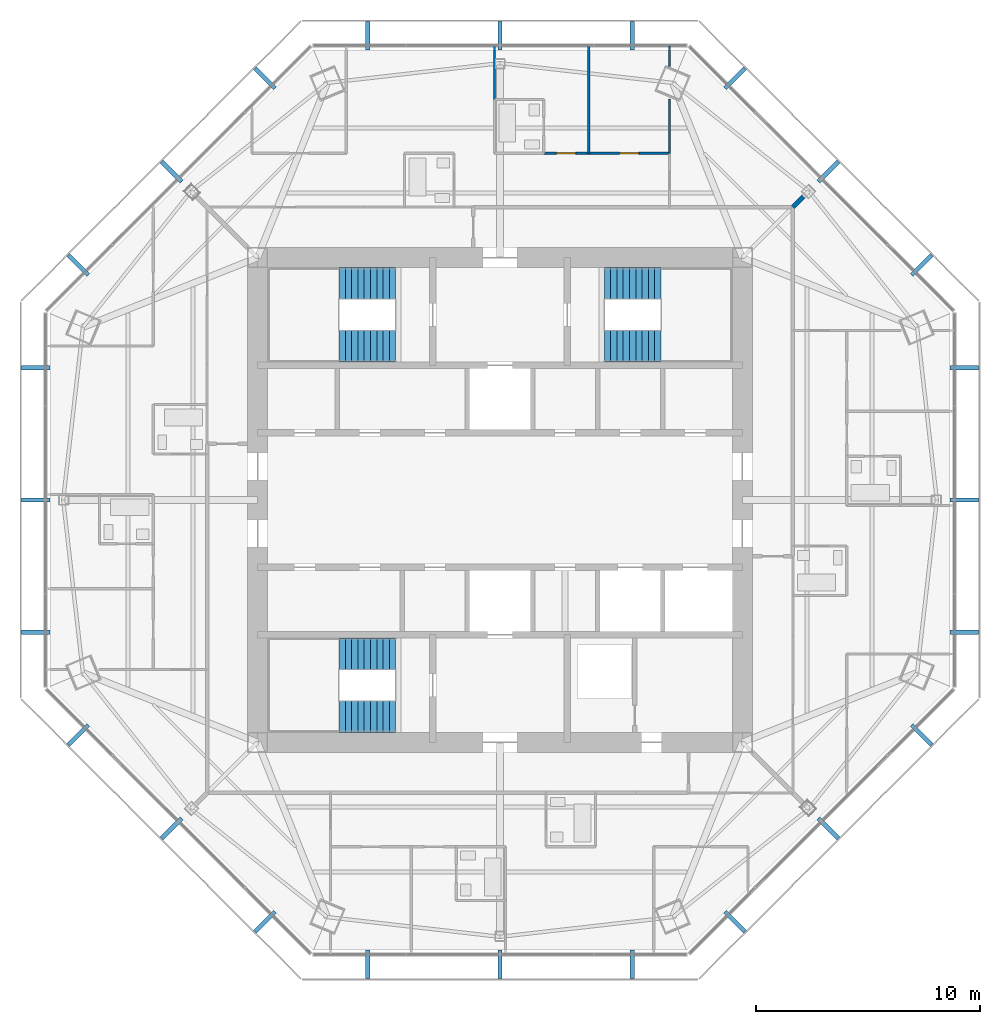
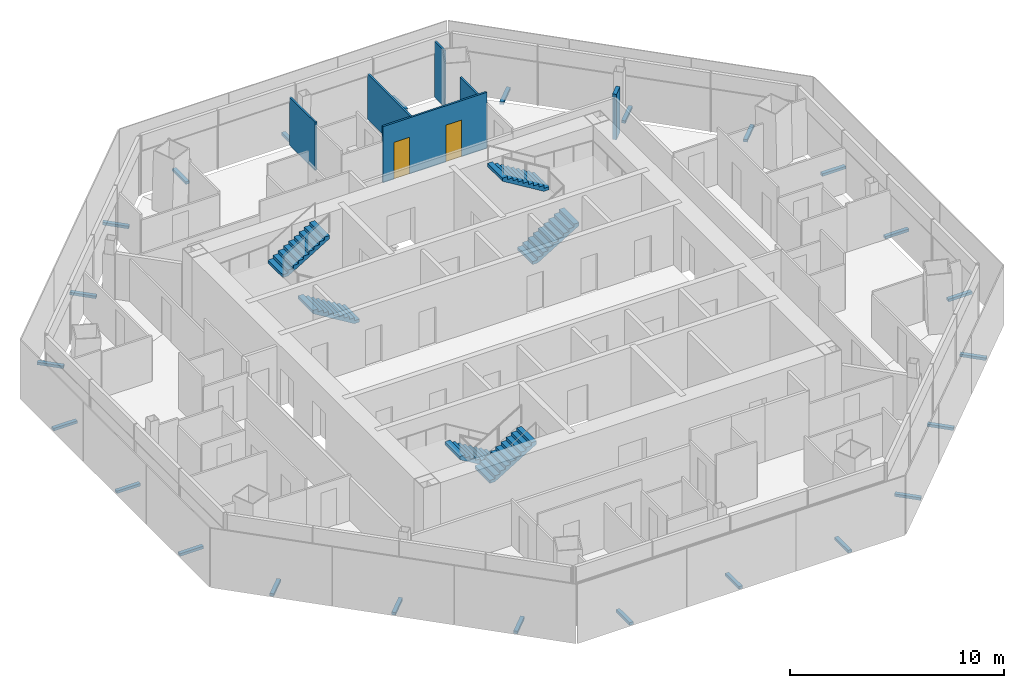
# One storey, part 13 of 15: 24 discrete accessories, 6 stair flights, 6 walls, 2 doors, 2 openings, 3 elements without a shape of their own.
"""IFC4 building model written with IfcOpenShell, lengths in metres."""

from ifc_helpers import new_model, si_unit, direction, frame, frame_2d, origin, origin_2d, place, context, subcontext, project, spatial, polyline, rectangle, outline, extrude, source, transform, mapped, material, layer, layer_set, type_object, type_shapes, element, fill, aggregate, save


model = new_model("IFC4")

# Units and contexts
model_context = context("Model", 3, precision=1e-05, world=origin(), true_north=direction((0.0, 1.0)))
body_context = subcontext(model_context, "Body", "Model", "MODEL_VIEW")
ifc_project = project(units=[si_unit("LENGTHUNIT", "METRE"), si_unit("AREAUNIT", "SQUARE_METRE"), si_unit("VOLUMEUNIT", "CUBIC_METRE"), si_unit("PLANEANGLEUNIT", "RADIAN"), si_unit("MASSUNIT", "GRAM", prefix="KILO")], contexts=[model_context])

# Site, building, storey
site_placement = place(None, origin())
site = spatial("IfcSite", under=ifc_project, at=site_placement, CompositionType="ELEMENT")
building_placement = place(site_placement, origin())
building = spatial("IfcBuilding", under=site, at=building_placement, Name="Mashrafa Tower", CompositionType="ELEMENT")
storey_placement = place(building_placement, frame((0.0, 0.0, 274.199951171875)))
storey = spatial("IfcBuildingStorey", under=building, at=storey_placement, Name="L66", CompositionType="ELEMENT", Elevation=274.199951171875)

# Walls
ifc_material_1 = material(Name="Gypsum board on steel studs", Category="steel")
ifc_layer_1 = layer(ifc_material_1, 0.199951171875)
ifc_layer_set_1 = layer_set([ifc_layer_1], Name="Acoustic partition 200 1 hr")
wall_type_1 = type_object("IfcWallType", Name="Acoustic partition 200 1 hr", PredefinedType="PARTITIONING", material=ifc_layer_set_1)
wall_1_placement = place(storey_placement, frame((13.518310546875, 13.518310546875, 0.0), z_axis=(0.0, 0.0, 1.0), x_axis=(-0.707106781187, -0.707106781187, 0.0)))
element("IfcWall", 1, at=wall_1_placement, inside=storey, type_object=wall_type_1, Name="Acoustic wall L66-048", PredefinedType="PARTITIONING", context=body_context, shape_type="SweptSolid", body=[
    extrude(rectangle(XDim=0.662109375, YDim=0.199951171875, at=frame_2d((0.3310546875, 0.0))), origin(), (0.0, 0.0, 1.0), 2.590576171875),
])
ifc_material_2 = material(Name="Gypsum board on steel studs", Category="steel")
ifc_layer_2 = layer(ifc_material_2, 0.10009765625)
ifc_layer_set_2 = layer_set([ifc_layer_2], Name="Partition 100")
wall_type_2 = type_object("IfcWallType", Name="Partition 100", PredefinedType="PARTITIONING", material=ifc_layer_set_2)
wall_2_placement = place(storey_placement, frame((3.949951171875, 15.449951171875, 0.0), z_axis=(0.0, 0.0, 1.0), x_axis=(0.0, 1.0, 0.0)))
element("IfcWall", 2, at=wall_2_placement, inside=storey, type_object=wall_type_2, Name="Partition wall L66-060", PredefinedType="PARTITIONING", context=body_context, shape_type="SweptSolid", body=[
    extrude(rectangle(XDim=4.7900390625, YDim=0.10009765625, at=frame_2d((2.39501953125, 0.0))), origin(), (0.0, 0.0, 1.0), 2.590576171875),
])
wall_3_placement = place(storey_placement, frame((-0.25, 20.239990234375, 0.0), z_axis=(0.0, 0.0, 1.0), x_axis=(0.0, -1.0, 0.0)))
element("IfcWall", 3, at=wall_3_placement, inside=storey, type_object=wall_type_2, Name="Partition wall L66-061", PredefinedType="PARTITIONING", context=body_context, shape_type="SweptSolid", body=[
    extrude(rectangle(XDim=2.389892578125, YDim=0.10009765625, at=frame_2d((1.19482421875, 0.0))), origin(), (0.0, 0.0, 1.0), 2.740478515625),
])

# Wall, openings, doors
wall_4_placement = place(storey_placement, frame((1.949951171875, 15.449951171875, 0.0), z_axis=(0.0, 0.0, 1.0), x_axis=(1.0, 0.0, 0.0)))
wall_4 = element("IfcWall", 4, at=wall_4_placement, inside=storey, type_object=wall_type_2, Name="Partition wall L66-062", PredefinedType="PARTITIONING", context=body_context, shape_type="SweptSolid", body=[
    extrude(rectangle(XDim=5.60009765625, YDim=0.10009765625, at=frame_2d((2.800048828125, 0.0))), origin(), (0.0, 0.0, 1.0), 3.199951171875),
])
opening_1_placement = place(wall_4_placement, frame((0.574951171875, 0.0, 0.0)))
opening_1 = element("IfcOpeningElement", 5, at=opening_1_placement, cuts=wall_4, Name="Opening 66.013", PredefinedType="OPENING", context=body_context, shape_type="SweptSolid", body=[
    extrude(rectangle(XDim=0.85009765625, YDim=2.10009765625, at=frame_2d((0.425048828125, 1.050048828125))), frame((0.0, 0.06005859375, 0.0), z_axis=(0.0, -1.0, 0.0), x_axis=(1.0, 0.0, 0.0)), (0.0, 0.0, 1.0), 0.1201171875),
])
opening_2_placement = place(wall_4_placement, frame((3.375, 0.0, 0.0)))
opening_2 = element("IfcOpeningElement", 6, at=opening_2_placement, cuts=wall_4, Name="Opening 66.014", PredefinedType="OPENING", context=body_context, shape_type="SweptSolid", body=[
    extrude(rectangle(XDim=0.85009765625, YDim=2.10009765625, at=frame_2d((0.425048828125, 1.050048828125))), frame((0.0, 0.06005859375, 0.0), z_axis=(0.0, -1.0, 0.0), x_axis=(1.0, 0.0, 0.0)), (0.0, 0.0, 1.0), 0.1201171875),
])
ifc_material_3 = material(Name="Timber door", Category="wood")
door_type = type_object("IfcDoorType", Name="Bedroom door 850 x 2100", OperationType="USERDEFINED", PredefinedType="DOOR", material=ifc_material_3)
door_1_placement = place(opening_1_placement, origin())
door_1 = element("IfcDoor", 7, at=door_1_placement, inside=storey, type_object=door_type, Name="Apartment 6602 Bedroom 1 door", OperationType="SINGLE_SWING_RIGHT", OverallHeight=2.10009765625, OverallWidth=0.85009765625, PredefinedType="DOOR", context=body_context, shape_type="SweptSolid", body=[
    extrude(rectangle(XDim=0.85009765625, YDim=2.10009765625, at=frame_2d((0.425048828125, 1.050048828125))), frame((0.0, 0.02490234375, 0.0), z_axis=(0.0, -1.0, 0.0), x_axis=(1.0, 0.0, 0.0)), (0.0, 0.0, 1.0), 0.050048828125),
])
fill(opening_1, door_1)
door_2_placement = place(opening_2_placement, origin())
door_2 = element("IfcDoor", 8, at=door_2_placement, inside=storey, type_object=door_type, Name="Apartment 6602 Bedroom 2 door", OperationType="SINGLE_SWING_RIGHT", OverallHeight=2.10009765625, OverallWidth=0.85009765625, PredefinedType="DOOR", context=body_context, shape_type="SweptSolid", body=[
    extrude(rectangle(XDim=0.85009765625, YDim=2.10009765625, at=frame_2d((0.425048828125, 1.050048828125))), frame((0.0, 0.02490234375, 0.0), z_axis=(0.0, -1.0, 0.0), x_axis=(1.0, 0.0, 0.0)), (0.0, 0.0, 1.0), 0.050048828125),
])
fill(opening_2, door_2)

# Walls
wall_5_placement = place(storey_placement, frame((7.550048828125, 15.449951171875, 0.0), z_axis=(0.0, 0.0, 1.0), x_axis=(0.0, 1.0, 0.0)))
element("IfcWall", 9, at=wall_5_placement, inside=storey, type_object=wall_type_2, Name="Partition wall L66-063", PredefinedType="PARTITIONING", context=body_context, shape_type="SweptSolid", body=[
    extrude(rectangle(XDim=2.407470703125, YDim=0.10009765625, at=frame_2d((1.20361328125, 0.0))), origin(), (0.0, 0.0, 1.0), 2.590576171875),
])
wall_6_placement = place(storey_placement, frame((7.550048828125, 19.310546875, 0.0), z_axis=(0.0, 0.0, 1.0), x_axis=(0.0, 1.0, 0.0)))
element("IfcWall", 10, at=wall_6_placement, inside=storey, type_object=wall_type_2, Name="Partition wall L66-064", PredefinedType="PARTITIONING", context=body_context, shape_type="SweptSolid", body=[
    extrude(rectangle(XDim=0.929443359375, YDim=0.10009765625, at=frame_2d((0.46484375, 0.0))), origin(), (0.0, 0.0, 1.0), 3.199951171875),
])

# Stair, stair flights
ifc_material_4 = material(Name="Exit stair 1400")
stair_type = type_object("IfcStairType", Name="Exit stair 1400", PredefinedType="HALF_TURN_STAIR", material=ifc_material_4)
stair_1_placement = place(storey_placement, origin())
stair_1 = element("IfcStair", 11, at=stair_1_placement, inside=storey, type_object=stair_type, Name="Stair S1 L66", PredefinedType="HALF_TURN_STAIR")
ifc_material_5 = material(Name="Concrete C32/40", Category="concrete")
stair_flight_type = type_object("IfcStairFlightType", Name="Stair flight 1400", PredefinedType="STRAIGHT", material=ifc_material_5)
stair_flight_1_placement = place(storey_placement, frame((-4.64990234375, 6.85009765625, 0.0), z_axis=(0.0, 0.0, 1.0), x_axis=(-1.0, 0.0, 0.0)))
stair_flight_1 = element("IfcStairFlight", 12, at=stair_flight_1_placement, type_object=stair_flight_type, Name="S1 flight 1", NumberOfRisers=10, NumberOfTreads=9, PredefinedType="STRAIGHT", RiserHeight=0.17, TreadLength=0.28, context=body_context, shape_type="SweptSolid", body=[
    extrude(outline(polyline([(0.0, 0.0), (0.0, 0.169921875), (0.280029296875, 0.169921875), (0.280029296875, 0.340087890625), (0.56005859375, 0.340087890625), (0.56005859375, 0.510009765625), (0.840087890625, 0.510009765625), (0.840087890625, 0.679931640625), (1.1201171875, 0.679931640625), (1.1201171875, 0.85009765625), (1.39990234375, 0.85009765625), (1.39990234375, 1.02001953125), (1.679931640625, 1.02001953125), (1.679931640625, 1.18994140625), (1.9599609375, 1.18994140625), (1.9599609375, 1.360107421875), (2.239990234375, 1.360107421875), (2.239990234375, 1.530029296875), (2.52001953125, 1.530029296875), (2.52001953125, 1.699951171875), (2.52001953125, 1.354736328125), (0.288818359375, 0.0), (0.0, 0.0)])), frame((0.0, 0.699951171875, 0.0), z_axis=(0.0, -1.0, 0.0), x_axis=(1.0, 0.0, 0.0)), (0.0, 0.0, 1.0), 1.39990234375),
])
stair_flight_2_placement = place(storey_placement, frame((-7.169921875, 9.64990234375, 1.699951171875), z_axis=(0.0, 0.0, 1.0), x_axis=(1.0, 0.0, 0.0)))
stair_flight_2 = element("IfcStairFlight", 13, at=stair_flight_2_placement, type_object=stair_flight_type, Name="S1 flight 2", NumberOfRisers=10, NumberOfTreads=9, PredefinedType="STRAIGHT", RiserHeight=0.17, TreadLength=0.28, context=body_context, shape_type="SweptSolid", body=[
    extrude(outline(polyline([(0.0, 0.0), (0.0, 0.169921875), (0.280029296875, 0.169921875), (0.280029296875, 0.340087890625), (0.56005859375, 0.340087890625), (0.56005859375, 0.510009765625), (0.840087890625, 0.510009765625), (0.840087890625, 0.679931640625), (1.1201171875, 0.679931640625), (1.1201171875, 0.85009765625), (1.39990234375, 0.85009765625), (1.39990234375, 1.02001953125), (1.679931640625, 1.02001953125), (1.679931640625, 1.18994140625), (1.9599609375, 1.18994140625), (1.9599609375, 1.360107421875), (2.239990234375, 1.360107421875), (2.239990234375, 1.530029296875), (2.52001953125, 1.530029296875), (2.52001953125, 1.699951171875), (2.52001953125, 1.354736328125), (0.288818359375, 0.0), (0.0, 0.0)])), frame((0.0, 0.699951171875, 0.0), z_axis=(0.0, -1.0, 0.0), x_axis=(1.0, 0.0, 0.0)), (0.0, 0.0, 1.0), 1.39990234375),
])
aggregate(stair_1, [stair_flight_1, stair_flight_2])

stair_2_placement = place(storey_placement, origin())
stair_2 = element("IfcStair", 14, at=stair_2_placement, inside=storey, type_object=stair_type, Name="Stair S2 L66", PredefinedType="HALF_TURN_STAIR")
stair_flight_3_placement = place(storey_placement, frame((4.64990234375, 6.85009765625, 0.0), z_axis=(0.0, 0.0, 1.0), x_axis=(1.0, 0.0, 0.0)))
stair_flight_3 = element("IfcStairFlight", 15, at=stair_flight_3_placement, type_object=stair_flight_type, Name="S2 flight 1", NumberOfRisers=10, NumberOfTreads=9, PredefinedType="STRAIGHT", RiserHeight=0.17, TreadLength=0.28, context=body_context, shape_type="SweptSolid", body=[
    extrude(outline(polyline([(0.0, 0.0), (0.0, 0.169921875), (0.280029296875, 0.169921875), (0.280029296875, 0.340087890625), (0.56005859375, 0.340087890625), (0.56005859375, 0.510009765625), (0.840087890625, 0.510009765625), (0.840087890625, 0.679931640625), (1.1201171875, 0.679931640625), (1.1201171875, 0.85009765625), (1.39990234375, 0.85009765625), (1.39990234375, 1.02001953125), (1.679931640625, 1.02001953125), (1.679931640625, 1.18994140625), (1.9599609375, 1.18994140625), (1.9599609375, 1.360107421875), (2.239990234375, 1.360107421875), (2.239990234375, 1.530029296875), (2.52001953125, 1.530029296875), (2.52001953125, 1.699951171875), (2.52001953125, 1.354736328125), (0.288818359375, 0.0), (0.0, 0.0)])), frame((0.0, 0.699951171875, 0.0), z_axis=(0.0, -1.0, 0.0), x_axis=(1.0, 0.0, 0.0)), (0.0, 0.0, 1.0), 1.39990234375),
])
stair_flight_4_placement = place(storey_placement, frame((7.169921875, 9.64990234375, 1.699951171875), z_axis=(0.0, 0.0, 1.0), x_axis=(-1.0, 0.0, 0.0)))
stair_flight_4 = element("IfcStairFlight", 16, at=stair_flight_4_placement, type_object=stair_flight_type, Name="S2 flight 2", NumberOfRisers=10, NumberOfTreads=9, PredefinedType="STRAIGHT", RiserHeight=0.17, TreadLength=0.28, context=body_context, shape_type="SweptSolid", body=[
    extrude(outline(polyline([(0.0, 0.0), (0.0, 0.169921875), (0.280029296875, 0.169921875), (0.280029296875, 0.340087890625), (0.56005859375, 0.340087890625), (0.56005859375, 0.510009765625), (0.840087890625, 0.510009765625), (0.840087890625, 0.679931640625), (1.1201171875, 0.679931640625), (1.1201171875, 0.85009765625), (1.39990234375, 0.85009765625), (1.39990234375, 1.02001953125), (1.679931640625, 1.02001953125), (1.679931640625, 1.18994140625), (1.9599609375, 1.18994140625), (1.9599609375, 1.360107421875), (2.239990234375, 1.360107421875), (2.239990234375, 1.530029296875), (2.52001953125, 1.530029296875), (2.52001953125, 1.699951171875), (2.52001953125, 1.354736328125), (0.288818359375, 0.0), (0.0, 0.0)])), frame((0.0, 0.699951171875, 0.0), z_axis=(0.0, -1.0, 0.0), x_axis=(1.0, 0.0, 0.0)), (0.0, 0.0, 1.0), 1.39990234375),
])
aggregate(stair_2, [stair_flight_3, stair_flight_4])

stair_3_placement = place(storey_placement, origin())
stair_3 = element("IfcStair", 17, at=stair_3_placement, inside=storey, type_object=stair_type, Name="Stair S3 L66", PredefinedType="HALF_TURN_STAIR")
stair_flight_5_placement = place(storey_placement, frame((-4.64990234375, -6.85009765625, 0.0), z_axis=(0.0, 0.0, 1.0), x_axis=(-1.0, 0.0, 0.0)))
stair_flight_5 = element("IfcStairFlight", 18, at=stair_flight_5_placement, type_object=stair_flight_type, Name="S3 flight 1", NumberOfRisers=10, NumberOfTreads=9, PredefinedType="STRAIGHT", RiserHeight=0.17, TreadLength=0.28, context=body_context, shape_type="SweptSolid", body=[
    extrude(outline(polyline([(0.0, 0.0), (0.0, 0.169921875), (0.280029296875, 0.169921875), (0.280029296875, 0.340087890625), (0.56005859375, 0.340087890625), (0.56005859375, 0.510009765625), (0.840087890625, 0.510009765625), (0.840087890625, 0.679931640625), (1.1201171875, 0.679931640625), (1.1201171875, 0.85009765625), (1.39990234375, 0.85009765625), (1.39990234375, 1.02001953125), (1.679931640625, 1.02001953125), (1.679931640625, 1.18994140625), (1.9599609375, 1.18994140625), (1.9599609375, 1.360107421875), (2.239990234375, 1.360107421875), (2.239990234375, 1.530029296875), (2.52001953125, 1.530029296875), (2.52001953125, 1.699951171875), (2.52001953125, 1.354736328125), (0.288818359375, 0.0), (0.0, 0.0)])), frame((0.0, 0.699951171875, 0.0), z_axis=(0.0, -1.0, 0.0), x_axis=(1.0, 0.0, 0.0)), (0.0, 0.0, 1.0), 1.39990234375),
])
stair_flight_6_placement = place(storey_placement, frame((-7.169921875, -9.64990234375, 1.699951171875), z_axis=(0.0, 0.0, 1.0), x_axis=(1.0, 0.0, 0.0)))
stair_flight_6 = element("IfcStairFlight", 19, at=stair_flight_6_placement, type_object=stair_flight_type, Name="S3 flight 2", NumberOfRisers=10, NumberOfTreads=9, PredefinedType="STRAIGHT", RiserHeight=0.17, TreadLength=0.28, context=body_context, shape_type="SweptSolid", body=[
    extrude(outline(polyline([(0.0, 0.0), (0.0, 0.169921875), (0.280029296875, 0.169921875), (0.280029296875, 0.340087890625), (0.56005859375, 0.340087890625), (0.56005859375, 0.510009765625), (0.840087890625, 0.510009765625), (0.840087890625, 0.679931640625), (1.1201171875, 0.679931640625), (1.1201171875, 0.85009765625), (1.39990234375, 0.85009765625), (1.39990234375, 1.02001953125), (1.679931640625, 1.02001953125), (1.679931640625, 1.18994140625), (1.9599609375, 1.18994140625), (1.9599609375, 1.360107421875), (2.239990234375, 1.360107421875), (2.239990234375, 1.530029296875), (2.52001953125, 1.530029296875), (2.52001953125, 1.699951171875), (2.52001953125, 1.354736328125), (0.288818359375, 0.0), (0.0, 0.0)])), frame((0.0, 0.699951171875, 0.0), z_axis=(0.0, -1.0, 0.0), x_axis=(1.0, 0.0, 0.0)), (0.0, 0.0, 1.0), 1.39990234375),
])
aggregate(stair_3, [stair_flight_5, stair_flight_6])

# Discrete accessories
ifc_material_6 = material(Name="Stainless steel screen bracket", Category="steel")
discrete_accessory_type = type_object("IfcDiscreteAccessoryType", Name="Screen support bracket 200 x 150", PredefinedType="BRACKET", material=ifc_material_6)
shared_shape = source(origin(), body_context, "Body", "SweptSolid", [
    extrude(rectangle(XDim=0.199951171875, YDim=1.27001953125, at=origin_2d()), origin(), (0.0, 0.0, 1.0), 0.14990234375),
])
type_shapes(discrete_accessory_type, [shared_shape])
for number, where, z_axis, x_axis, name in (
    (20, (20.69287109375, -5.8828125, -0.14990234375), (0.0, 0.0, 1.0), (0.0, 1.0, 0.0), "Screen support bracket L66 east 1"),
    (21, (20.69287109375, 0.0, -0.14990234375), (0.0, 0.0, 1.0), (0.0, 1.0, 0.0), "Screen support bracket L66 east 2"),
    (22, (20.69287109375, 5.8828125, -0.14990234375), (0.0, 0.0, 1.0), (0.0, 1.0, 0.0), "Screen support bracket L66 east 3"),
    (23, (18.7919921875, 10.472412109375, -0.14990234375), (0.0, 0.0, 1.0), (-0.707106781187, 0.707106781187, 0.0), "Screen support bracket L66 north-east 1"),
    (24, (14.632080078125, 14.632080078125, -0.14990234375), (0.0, 0.0, 1.0), (-0.707106781187, 0.707106781187, 0.0), "Screen support bracket L66 north-east 2"),
    (25, (10.472412109375, 18.7919921875, -0.14990234375), (0.0, 0.0, 1.0), (-0.707106781187, 0.707106781187, 0.0), "Screen support bracket L66 north-east 3"),
    (26, (5.8828125, 20.69287109375, -0.14990234375), (0.0, 0.0, 1.0), (-1.0, 0.0, 0.0), "Screen support bracket L66 north 1"),
    (27, (0.0, 20.69287109375, -0.14990234375), (0.0, 0.0, 1.0), (-1.0, 0.0, 0.0), "Screen support bracket L66 north 2"),
    (28, (-5.8828125, 20.69287109375, -0.14990234375), (0.0, 0.0, 1.0), (-1.0, 0.0, 0.0), "Screen support bracket L66 north 3"),
    (29, (-10.472412109375, 18.7919921875, -0.14990234375), (0.0, 0.0, 1.0), (-0.707106781187, -0.707106781187, 0.0), "Screen support bracket L66 north-west 1"),
    (30, (-14.632080078125, 14.632080078125, -0.14990234375), (0.0, 0.0, 1.0), (-0.707106781187, -0.707106781187, 0.0), "Screen support bracket L66 north-west 2"),
    (31, (-18.7919921875, 10.472412109375, -0.14990234375), (0.0, 0.0, 1.0), (-0.707106781187, -0.707106781187, 0.0), "Screen support bracket L66 north-west 3"),
    (32, (-20.69287109375, 5.8828125, -0.14990234375), (0.0, 0.0, 1.0), (0.0, -1.0, 0.0), "Screen support bracket L66 west 1"),
    (33, (-20.69287109375, 0.0, -0.14990234375), (0.0, 0.0, 1.0), (0.0, -1.0, 0.0), "Screen support bracket L66 west 2"),
    (34, (-20.69287109375, -5.8828125, -0.14990234375), (0.0, 0.0, 1.0), (0.0, -1.0, 0.0), "Screen support bracket L66 west 3"),
    (35, (-18.7919921875, -10.472412109375, -0.14990234375), (0.0, 0.0, 1.0), (0.707106781187, -0.707106781187, 0.0), "Screen support bracket L66 south-west 1"),
    (36, (-14.632080078125, -14.632080078125, -0.14990234375), (0.0, 0.0, 1.0), (0.707106781187, -0.707106781187, 0.0), "Screen support bracket L66 south-west 2"),
    (37, (-10.472412109375, -18.7919921875, -0.14990234375), (0.0, 0.0, 1.0), (0.707106781187, -0.707106781187, 0.0), "Screen support bracket L66 south-west 3"),
    (38, (-5.8828125, -20.69287109375, -0.14990234375), (0.0, 0.0, 1.0), (1.0, 0.0, 0.0), "Screen support bracket L66 south 1"),
    (39, (0.0, -20.69287109375, -0.14990234375), (0.0, 0.0, 1.0), (1.0, 0.0, 0.0), "Screen support bracket L66 south 2"),
    (40, (5.8828125, -20.69287109375, -0.14990234375), (0.0, 0.0, 1.0), (1.0, 0.0, 0.0), "Screen support bracket L66 south 3"),
    (41, (10.472412109375, -18.7919921875, -0.14990234375), (0.0, 0.0, 1.0), (0.707106781187, 0.707106781187, 0.0), "Screen support bracket L66 south-east 1"),
    (42, (14.632080078125, -14.632080078125, -0.14990234375), (0.0, 0.0, 1.0), (0.707106781187, 0.707106781187, 0.0), "Screen support bracket L66 south-east 2"),
    (43, (18.7919921875, -10.472412109375, -0.14990234375), (0.0, 0.0, 1.0), (0.707106781187, 0.707106781187, 0.0), "Screen support bracket L66 south-east 3"),
):
    element("IfcDiscreteAccessory", number, at=place(storey_placement, frame(where, z_axis=z_axis, x_axis=x_axis)), inside=storey, type_object=discrete_accessory_type, Name=name, PredefinedType="BRACKET", context=body_context, shape_type="MappedRepresentation", body=[
        mapped(shared_shape, transform((0.0, 0.0, 0.0))),
    ])

save(model, "model.ifc")
